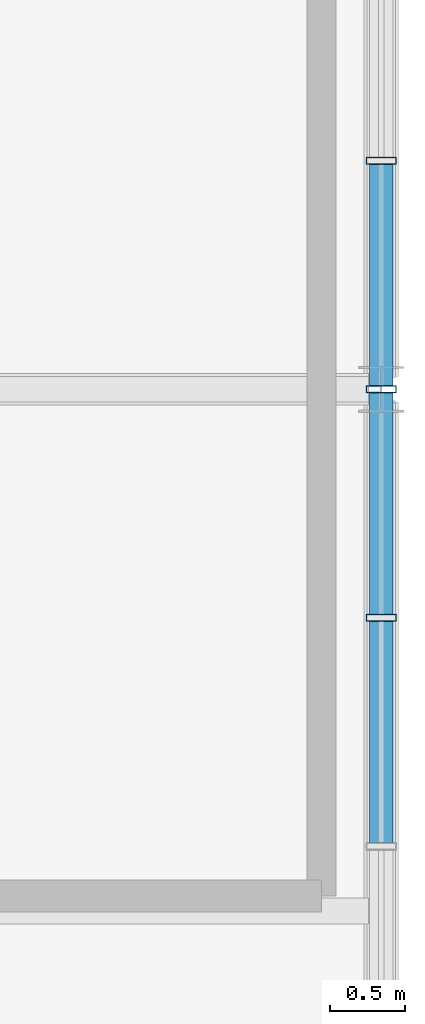
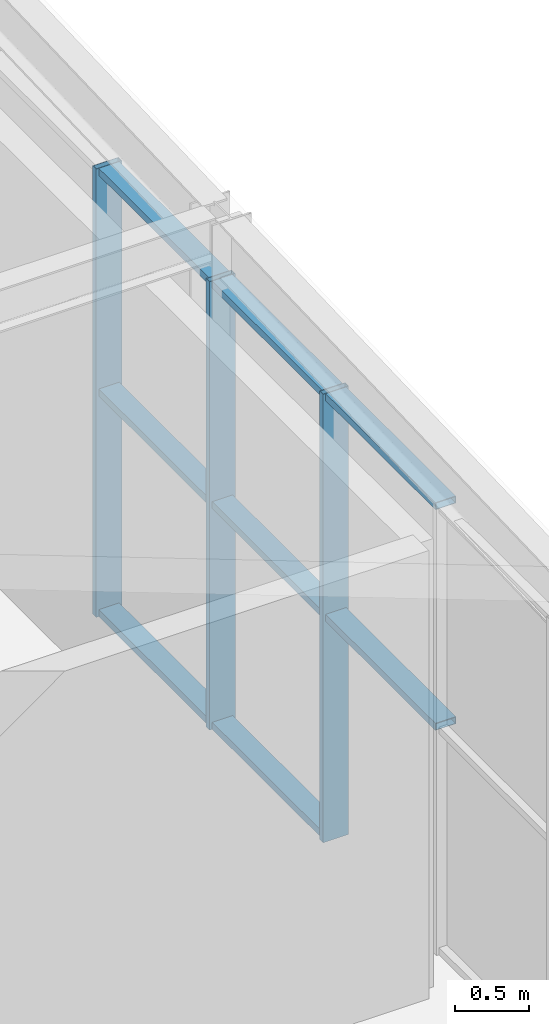
# One storey, part 17 of 27: 11 members, 1 element without a shape of its own.
"""IFC4 building model written with IfcOpenShell, lengths in metres."""

from ifc_helpers import new_model, si_unit, direction, frame, origin, origin_2d, place, context, subcontext, project, spatial, hollow_rectangle, extrude, material, layer, layer_set, material_profile, profile_set, type_object, element, aggregate, save


model = new_model("IFC4")

# Units and contexts
model_context = context("Model", 3, precision=1e-05, world=origin(), true_north=direction((0.0, 1.0)))
body_context = subcontext(model_context, "Body", "Model", "MODEL_VIEW")
ifc_project = project(units=[si_unit("LENGTHUNIT", "METRE"), si_unit("AREAUNIT", "SQUARE_METRE"), si_unit("VOLUMEUNIT", "CUBIC_METRE"), si_unit("PLANEANGLEUNIT", "RADIAN"), si_unit("MASSUNIT", "GRAM", prefix="KILO")], contexts=[model_context])

# Site, building, storey
site_placement = place(None, origin())
site = spatial("IfcSite", under=ifc_project, at=site_placement, CompositionType="ELEMENT")
building_placement = place(site_placement, origin())
building = spatial("IfcBuilding", under=site, at=building_placement, Name="Solvenia Promenade Tram Depot", CompositionType="ELEMENT")
storey_placement = place(building_placement, frame((0.0, 0.0, 13.5)))
storey = spatial("IfcBuildingStorey", under=building, at=storey_placement, Name="L03", CompositionType="ELEMENT", Elevation=13.5)

# Curtain wall, members
ifc_material = material(Name="Anodized aluminium AW-6063 T6", Category="aluminium")
ifc_layer = layer(ifc_material, 0.199951171875, Name="Anodized aluminium AW-6063 T6", Category="aluminium")
ifc_layer_set = layer_set([ifc_layer], Name="Anodized aluminium AW-6063 T6")
curtain_wall_type = type_object("IfcCurtainWallType", Name="CW-OCC-1500", PredefinedType="NOTDEFINED", material=ifc_layer_set)
curtain_wall_placement = place(storey_placement, origin())
curtain_wall = element("IfcCurtainWall", 1, at=curtain_wall_placement, inside=storey, type_object=curtain_wall_type, Name="Curtain Wall CW-L03-V2E", PredefinedType="NOTDEFINED")
ifc_material_profile_1 = material_profile(ifc_material, hollow_rectangle(XDim=0.199951171875, YDim=0.048095703125, WallThickness=0.00390625, at=origin_2d()), Name="ALU-M3", Category="aluminium")
ifc_profile_set_1 = profile_set([ifc_material_profile_1], Name="Anodized aluminium AW-6063 T6")
member_type_1 = type_object("IfcMemberType", Name="CWM-Mullion-3", PredefinedType="MULLION", material=ifc_profile_set_1)
member_1_placement = place(storey_placement, frame((162.0, 50.466552734375, 0.0), z_axis=(0.0, 0.0, 1.0), x_axis=(-1.0, 0.0, 0.0)))
member_1 = element("IfcMember", 2, at=member_1_placement, type_object=member_type_1, Name="CW-8 mullion 9", PredefinedType="MULLION", context=body_context, shape_type="SweptSolid", body=[
    extrude(hollow_rectangle(XDim=0.199951171875, YDim=0.048095703125, WallThickness=0.00390625, at=origin_2d()), origin(), (0.0, 0.0, 1.0), 3.699951171875),
])
member_2_placement = place(storey_placement, frame((162.0, 52.0, 0.0), z_axis=(0.0, 0.0, 1.0), x_axis=(-1.0, 0.0, 0.0)))
member_2 = element("IfcMember", 3, at=member_2_placement, type_object=member_type_1, Name="CW-8 mullion 10", PredefinedType="MULLION", context=body_context, shape_type="SweptSolid", body=[
    extrude(hollow_rectangle(XDim=0.199951171875, YDim=0.048095703125, WallThickness=0.00390625, at=origin_2d()), origin(), (0.0, 0.0, 1.0), 3.699951171875),
])
member_3_placement = place(storey_placement, frame((162.0, 53.533447265625, 0.0), z_axis=(0.0, 0.0, 1.0), x_axis=(-1.0, 0.0, 0.0)))
member_3 = element("IfcMember", 4, at=member_3_placement, type_object=member_type_1, Name="CW-8 mullion 11", PredefinedType="MULLION", context=body_context, shape_type="SweptSolid", body=[
    extrude(hollow_rectangle(XDim=0.199951171875, YDim=0.048095703125, WallThickness=0.00390625, at=origin_2d()), origin(), (0.0, 0.0, 1.0), 3.699951171875),
])
ifc_material_profile_2 = material_profile(ifc_material, hollow_rectangle(XDim=0.159912109375, YDim=0.05810546875, WallThickness=0.00390625, at=origin_2d()), Name="ALU-T3", Category="aluminium")
ifc_profile_set_2 = profile_set([ifc_material_profile_2], Name="Anodized aluminium AW-6063 T6")
member_type_2 = type_object("IfcMemberType", Name="CWT-Transom-3", PredefinedType="USERDEFINED", material=ifc_profile_set_2)
member_4_placement = place(storey_placement, frame((162.0, 48.957275390625, 1.85009765625), z_axis=(0.0, 1.0, 0.0), x_axis=(-1.0, 0.0, 0.0)))
member_4 = element("IfcMember", 5, at=member_4_placement, type_object=member_type_2, Name="CW-8 transom 8.2", ObjectType="TRANSOM", PredefinedType="USERDEFINED", context=body_context, shape_type="SweptSolid", body=[
    extrude(hollow_rectangle(XDim=0.159912109375, YDim=0.05810546875, WallThickness=0.00390625, at=origin_2d()), origin(), (0.0, 0.0, 1.0), 1.4853515625),
])
member_5_placement = place(storey_placement, frame((162.0, 48.957275390625, 3.6708984375), z_axis=(0.0, 1.0, 0.0), x_axis=(-1.0, 0.0, 0.0)))
member_5 = element("IfcMember", 6, at=member_5_placement, type_object=member_type_2, Name="CW-8 transom 8.3", ObjectType="TRANSOM", PredefinedType="USERDEFINED", context=body_context, shape_type="SweptSolid", body=[
    extrude(hollow_rectangle(XDim=0.159912109375, YDim=0.05810546875, WallThickness=0.00390625, at=origin_2d()), origin(), (0.0, 0.0, 1.0), 1.4853515625),
])
member_6_placement = place(storey_placement, frame((162.0, 50.49072265625, 0.029052734375), z_axis=(0.0, 1.0, 0.0), x_axis=(-1.0, 0.0, 0.0)))
member_6 = element("IfcMember", 7, at=member_6_placement, type_object=member_type_2, Name="CW-8 transom 9.1", ObjectType="TRANSOM", PredefinedType="USERDEFINED", context=body_context, shape_type="SweptSolid", body=[
    extrude(hollow_rectangle(XDim=0.159912109375, YDim=0.05810546875, WallThickness=0.00390625, at=origin_2d()), origin(), (0.0, 0.0, 1.0), 1.4853515625),
])
member_7_placement = place(storey_placement, frame((162.0, 50.49072265625, 1.85009765625), z_axis=(0.0, 1.0, 0.0), x_axis=(-1.0, 0.0, 0.0)))
member_7 = element("IfcMember", 8, at=member_7_placement, type_object=member_type_2, Name="CW-8 transom 9.2", ObjectType="TRANSOM", PredefinedType="USERDEFINED", context=body_context, shape_type="SweptSolid", body=[
    extrude(hollow_rectangle(XDim=0.159912109375, YDim=0.05810546875, WallThickness=0.00390625, at=origin_2d()), origin(), (0.0, 0.0, 1.0), 1.4853515625),
])
member_8_placement = place(storey_placement, frame((162.0, 50.49072265625, 3.6708984375), z_axis=(0.0, 1.0, 0.0), x_axis=(-1.0, 0.0, 0.0)))
member_8 = element("IfcMember", 9, at=member_8_placement, type_object=member_type_2, Name="CW-8 transom 9.3", ObjectType="TRANSOM", PredefinedType="USERDEFINED", context=body_context, shape_type="SweptSolid", body=[
    extrude(hollow_rectangle(XDim=0.159912109375, YDim=0.05810546875, WallThickness=0.00390625, at=origin_2d()), origin(), (0.0, 0.0, 1.0), 1.4853515625),
])
member_9_placement = place(storey_placement, frame((162.0, 52.02392578125, 0.029052734375), z_axis=(0.0, 1.0, 0.0), x_axis=(-1.0, 0.0, 0.0)))
member_9 = element("IfcMember", 10, at=member_9_placement, type_object=member_type_2, Name="CW-8 transom 10.1", ObjectType="TRANSOM", PredefinedType="USERDEFINED", context=body_context, shape_type="SweptSolid", body=[
    extrude(hollow_rectangle(XDim=0.159912109375, YDim=0.05810546875, WallThickness=0.00390625, at=origin_2d()), origin(), (0.0, 0.0, 1.0), 1.4853515625),
])
member_10_placement = place(storey_placement, frame((162.0, 52.02392578125, 1.85009765625), z_axis=(0.0, 1.0, 0.0), x_axis=(-1.0, 0.0, 0.0)))
member_10 = element("IfcMember", 11, at=member_10_placement, type_object=member_type_2, Name="CW-8 transom 10.2", ObjectType="TRANSOM", PredefinedType="USERDEFINED", context=body_context, shape_type="SweptSolid", body=[
    extrude(hollow_rectangle(XDim=0.159912109375, YDim=0.05810546875, WallThickness=0.00390625, at=origin_2d()), origin(), (0.0, 0.0, 1.0), 1.4853515625),
])
member_11_placement = place(storey_placement, frame((162.0, 52.02392578125, 3.6708984375), z_axis=(0.0, 1.0, 0.0), x_axis=(-1.0, 0.0, 0.0)))
member_11 = element("IfcMember", 12, at=member_11_placement, type_object=member_type_2, Name="CW-8 transom 10.3", ObjectType="TRANSOM", PredefinedType="USERDEFINED", context=body_context, shape_type="SweptSolid", body=[
    extrude(hollow_rectangle(XDim=0.159912109375, YDim=0.05810546875, WallThickness=0.00390625, at=origin_2d()), origin(), (0.0, 0.0, 1.0), 1.4853515625),
])
aggregate(curtain_wall, [member_1, member_2, member_3, member_4, member_5, member_6, member_7, member_8, member_9, member_10, member_11])

save(model, "model.ifc")
